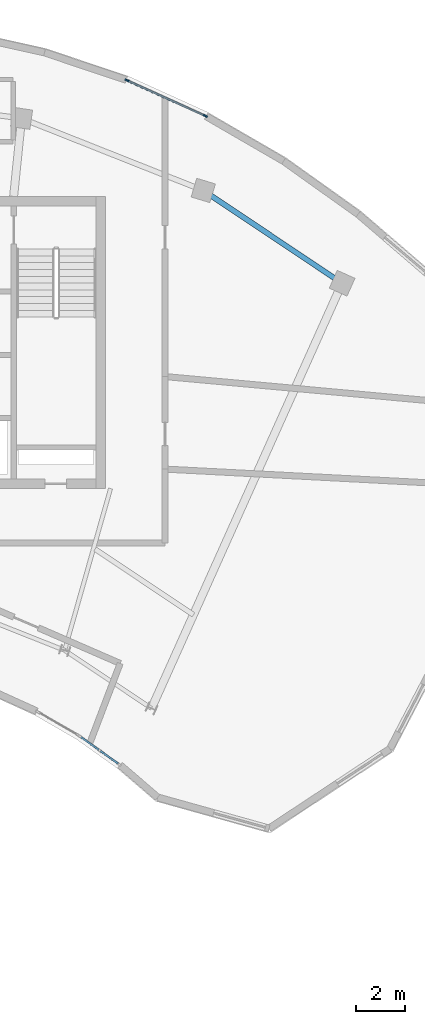
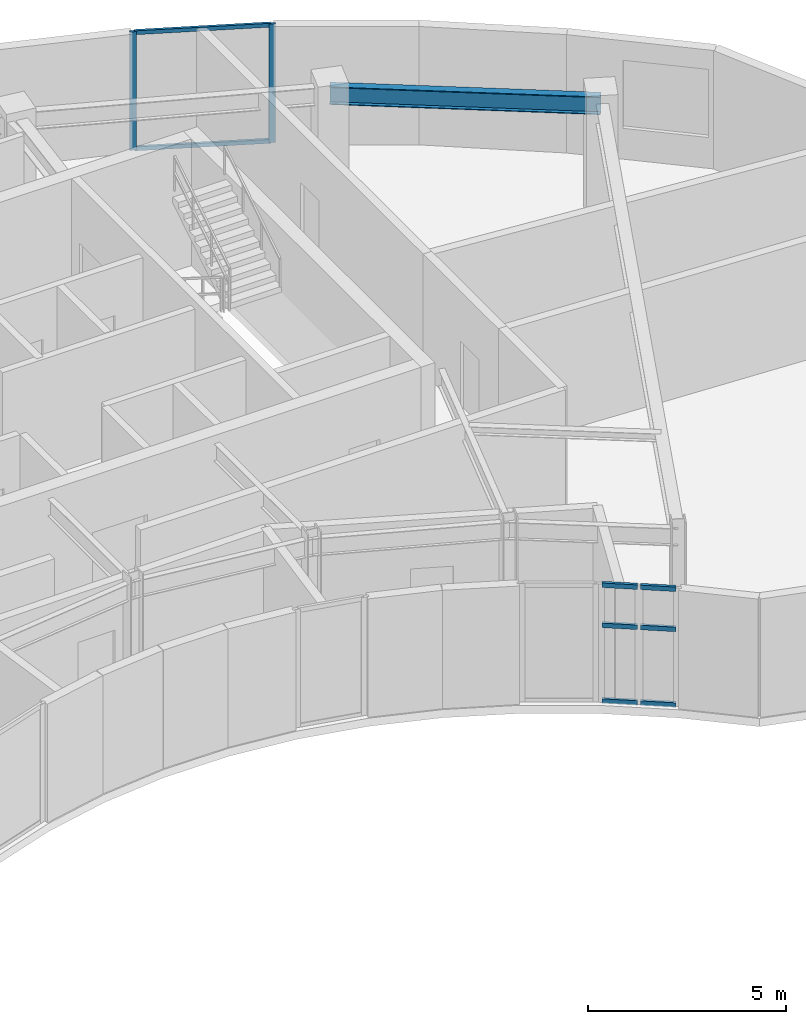
# One storey, part 5 of 12: 10 members, 1 beam, 2 elements without a shape of their own.
"""IFC4 building model written with IfcOpenShell, lengths in metres."""

from ifc_helpers import new_model, si_unit, direction, frame, origin, origin_2d, place, context, subcontext, project, spatial, rectangle, i_section, extrude, source, transform, mapped, material, layer, layer_set, material_profile, profile_set, type_object, element, aggregate, save


model = new_model("IFC4")

# Units and contexts
model_context = context("Model", 3, precision=1e-05, world=origin(), true_north=direction((0.0, 1.0)))
body_context = subcontext(model_context, "Body", "Model", "MODEL_VIEW")
ifc_project = project(units=[si_unit("LENGTHUNIT", "METRE"), si_unit("AREAUNIT", "SQUARE_METRE"), si_unit("VOLUMEUNIT", "CUBIC_METRE"), si_unit("PLANEANGLEUNIT", "RADIAN"), si_unit("MASSUNIT", "GRAM", prefix="KILO")], contexts=[model_context])

# Site, building, storey
site_placement = place(None, origin())
site = spatial("IfcSite", under=ifc_project, at=site_placement, CompositionType="ELEMENT")
building_placement = place(site_placement, origin())
building = spatial("IfcBuilding", under=site, at=building_placement, Name="Breltana Convention Tower", CompositionType="ELEMENT")
storey_placement = place(building_placement, frame((0.0, 0.0, 264.0)))
storey = spatial("IfcBuildingStorey", under=building, at=storey_placement, Name="L64", CompositionType="ELEMENT", Elevation=264.0)

# Beam
ifc_material_1 = material(Name="Steel ASTM A992 Grade 50", Category="steel")
ifc_material_profile_1 = material_profile(ifc_material_1, i_section(OverallWidth=0.214111328125, OverallDepth=0.549072265625, WebThickness=0.0146484375, FlangeThickness=0.023681640625, at=origin_2d()), Name="W21X93")
ifc_profile_set_1 = profile_set([ifc_material_profile_1], Name="Steel ASTM A992 Grade 50")
beam_type = type_object("IfcBeamType", Name="BM-SP-W21X93", PredefinedType="SPANDREL", material=ifc_profile_set_1)
shared_shape_1 = source(origin(), body_context, "Body", "SweptSolid", [
    extrude(i_section(OverallWidth=0.214111328125, OverallDepth=0.549072265625, WebThickness=0.0146484375, FlangeThickness=0.023681640625, at=origin_2d()), origin(), (0.0, 0.0, 1.0), 6.856689453125),
])
beam_placement = place(storey_placement, frame((63.208984375, 72.4423828125, 3.37548828125), z_axis=(0.83150210718, -0.55552159792, 0.0), x_axis=(0.55552159792, 0.83150210718, 0.0)))
element("IfcBeam", 1, at=beam_placement, inside=storey, type_object=beam_type, Name="L64 Outer Spandrel Beam 08", PredefinedType="SPANDREL", context=body_context, shape_type="MappedRepresentation", body=[
    mapped(shared_shape_1, transform((0.0, 0.0, 0.0), scale=1.0)),
])

# Curtain wall, members
ifc_material_2 = material(Name="Aluminium Anodised Bronze Frame", Category="aluminium")
ifc_layer_1 = layer(ifc_material_2, 0.22998046875, Name="Aluminium Anodised Bronze Frame")
ifc_layer_set_1 = layer_set([ifc_layer_1], Name="Aluminium Anodised Bronze Frame")
curtain_wall_type_1 = type_object("IfcCurtainWallType", Name="CW-SYS-5", PredefinedType="NOTDEFINED", material=ifc_layer_set_1)
curtain_wall_1_placement = place(storey_placement, origin())
curtain_wall_1 = element("IfcCurtainWall", 2, at=curtain_wall_1_placement, inside=storey, type_object=curtain_wall_type_1, Name="L64 outer double-skin inner glazing 4", PredefinedType="NOTDEFINED")
ifc_material_3 = material(Name="Aluminium Anodised Bronze", Category="aluminium")
ifc_material_profile_2 = material_profile(ifc_material_3, rectangle(XDim=0.070068359375, YDim=0.175048828125, at=origin_2d()), Name="CWM-70X175")
ifc_profile_set_2 = profile_set([ifc_material_profile_2], Name="Aluminium Anodised Bronze")
member_type_1 = type_object("IfcMemberType", Name="CWM-175", PredefinedType="MULLION", material=ifc_profile_set_2)
shared_shape_2 = source(origin(), body_context, "Body", "SweptSolid", [
    extrude(rectangle(XDim=0.070068359375, YDim=0.175048828125, at=origin_2d()), origin(), (0.0, 0.0, 1.0), 3.64990234375),
])
member_1_placement = place(storey_placement, frame((60.078125, 76.96484375, 0.0), z_axis=(0.0, 0.0, 1.0), x_axis=(0.413537325324, 0.910487166611, 0.0)))
member_1 = element("IfcMember", 3, at=member_1_placement, type_object=member_type_1, Name="CW-05 mullion 1", PredefinedType="MULLION", context=body_context, shape_type="MappedRepresentation", body=[
    mapped(shared_shape_2, transform((0.0, 0.0, 0.0), scale=1.0)),
])
member_2_placement = place(storey_placement, frame((63.29443359375, 75.504150390625, 0.0), z_axis=(0.0, 0.0, 1.0), x_axis=(0.413537325324, 0.910487166611, 0.0)))
member_2 = element("IfcMember", 4, at=member_2_placement, type_object=member_type_1, Name="CW-05 mullion 2", PredefinedType="MULLION", context=body_context, shape_type="MappedRepresentation", body=[
    mapped(shared_shape_2, transform((0.0, 0.0, 0.0), scale=1.0)),
])

ifc_layer_2 = layer(ifc_material_2, 0.18994140625, Name="Aluminium Anodised Bronze Frame")
ifc_layer_set_2 = layer_set([ifc_layer_2], Name="Aluminium Anodised Bronze Frame")
curtain_wall_type_2 = type_object("IfcCurtainWallType", Name="CW-SYS-1", PredefinedType="NOTDEFINED", material=ifc_layer_set_2)
curtain_wall_2_placement = place(storey_placement, origin())
curtain_wall_2 = element("IfcCurtainWall", 5, at=curtain_wall_2_placement, inside=storey, type_object=curtain_wall_type_2, Name="L64 inner south-court glazing 1", PredefinedType="NOTDEFINED")
ifc_material_profile_3 = material_profile(ifc_material_3, rectangle(XDim=0.080078125, YDim=0.139892578125, at=origin_2d()), Name="CWT-80X140")
ifc_profile_set_3 = profile_set([ifc_material_profile_3], Name="Aluminium Anodised Bronze")
member_type_2 = type_object("IfcMemberType", Name="CWT-140", PredefinedType="USERDEFINED", material=ifc_profile_set_3)
shared_shape_3 = source(origin(), body_context, "Body", "SweptSolid", [
    extrude(rectangle(XDim=0.080078125, YDim=0.139892578125, at=origin_2d()), origin(), (0.0, 0.0, 1.0), 0.896240234375),
])
member_3_placement = place(storey_placement, frame((59.71142578125, 48.90478515625, 0.0400390625), z_axis=(-0.814027888209, 0.580825789043, 0.0), x_axis=(-0.580825789043, -0.814027888209, 0.0)))
member_3 = element("IfcMember", 6, at=member_3_placement, type_object=member_type_2, Name="CW-01 transom 1.1", ObjectType="TRANSOM", PredefinedType="USERDEFINED", context=body_context, shape_type="MappedRepresentation", body=[
    mapped(shared_shape_3, transform((0.0, 0.0, 0.0), scale=1.0)),
])
member_4_placement = place(storey_placement, frame((59.71142578125, 48.90478515625, 2.37255859375), z_axis=(-0.814027888209, 0.580825789043, 0.0), x_axis=(-0.580825789043, -0.814027888209, 0.0)))
member_4 = element("IfcMember", 7, at=member_4_placement, type_object=member_type_2, Name="CW-01 transom 1.2", ObjectType="TRANSOM", PredefinedType="USERDEFINED", context=body_context, shape_type="MappedRepresentation", body=[
    mapped(shared_shape_3, transform((0.0, 0.0, 0.0), scale=1.0)),
])
member_5_placement = place(storey_placement, frame((59.71142578125, 48.90478515625, 3.610107421875), z_axis=(-0.814027888209, 0.580825789043, 0.0), x_axis=(-0.580825789043, -0.814027888209, 0.0)))
member_5 = element("IfcMember", 8, at=member_5_placement, type_object=member_type_2, Name="CW-01 transom 1.3", ObjectType="TRANSOM", PredefinedType="USERDEFINED", context=body_context, shape_type="MappedRepresentation", body=[
    mapped(shared_shape_3, transform((0.0, 0.0, 0.0), scale=1.0)),
])
member_6_placement = place(storey_placement, frame((58.916748046875, 49.4716796875, 0.0400390625), z_axis=(-0.814248531109, 0.58051643352, 0.0), x_axis=(-0.58051643352, -0.814248531109, 0.0)))
member_6 = element("IfcMember", 9, at=member_6_placement, type_object=member_type_2, Name="CW-01 transom 2.1", ObjectType="TRANSOM", PredefinedType="USERDEFINED", context=body_context, shape_type="MappedRepresentation", body=[
    mapped(shared_shape_3, transform((0.0, 0.0, 0.0), scale=1.0)),
])
member_7_placement = place(storey_placement, frame((58.916748046875, 49.4716796875, 2.37255859375), z_axis=(-0.814248531109, 0.58051643352, 0.0), x_axis=(-0.58051643352, -0.814248531109, 0.0)))
member_7 = element("IfcMember", 10, at=member_7_placement, type_object=member_type_2, Name="CW-01 transom 2.2", ObjectType="TRANSOM", PredefinedType="USERDEFINED", context=body_context, shape_type="MappedRepresentation", body=[
    mapped(shared_shape_3, transform((0.0, 0.0, 0.0), scale=1.0)),
])
member_8_placement = place(storey_placement, frame((58.916748046875, 49.4716796875, 3.610107421875), z_axis=(-0.814248531109, 0.58051643352, 0.0), x_axis=(-0.58051643352, -0.814248531109, 0.0)))
member_8 = element("IfcMember", 11, at=member_8_placement, type_object=member_type_2, Name="CW-01 transom 2.3", ObjectType="TRANSOM", PredefinedType="USERDEFINED", context=body_context, shape_type="MappedRepresentation", body=[
    mapped(shared_shape_3, transform((0.0, 0.0, 0.0), scale=1.0)),
])
aggregate(curtain_wall_2, [member_3, member_4, member_5, member_6, member_7, member_8])

# Member
ifc_material_profile_4 = material_profile(ifc_material_3, rectangle(XDim=0.070068359375, YDim=0.1201171875, at=origin_2d()), Name="CWT-70X120")
ifc_profile_set_4 = profile_set([ifc_material_profile_4], Name="Aluminium Anodised Bronze")
member_type_3 = type_object("IfcMemberType", Name="CWT-120", PredefinedType="USERDEFINED", material=ifc_profile_set_4)
shared_shape_4 = source(origin(), body_context, "Body", "SweptSolid", [
    extrude(rectangle(XDim=0.070068359375, YDim=0.1201171875, at=origin_2d()), origin(), (0.0, 0.0, 1.0), 3.462646484375),
])
member_9_placement = place(storey_placement, frame((60.110107421875, 76.950439453125, 0.034912109375), z_axis=(0.910487173893, -0.413537309292, 0.0), x_axis=(0.413537309292, 0.910487173893, 0.0)))
member_9 = element("IfcMember", 12, at=member_9_placement, type_object=member_type_3, Name="CW-05 transom 1.1", ObjectType="TRANSOM", PredefinedType="USERDEFINED", context=body_context, shape_type="MappedRepresentation", body=[
    mapped(shared_shape_4, transform((0.0, 0.0, 0.0), scale=1.0)),
])

member_10_placement = place(storey_placement, frame((60.110107421875, 76.950439453125, 3.614990234375), z_axis=(0.910487173893, -0.413537309292, 0.0), x_axis=(0.413537309292, 0.910487173893, 0.0)))
member_10 = element("IfcMember", 13, at=member_10_placement, type_object=member_type_3, Name="CW-05 transom 1.2", ObjectType="TRANSOM", PredefinedType="USERDEFINED", context=body_context, shape_type="MappedRepresentation", body=[
    mapped(shared_shape_4, transform((0.0, 0.0, 0.0), scale=1.0)),
])

aggregate(curtain_wall_1, [member_1, member_2, member_9, member_10])

save(model, "model.ifc")
